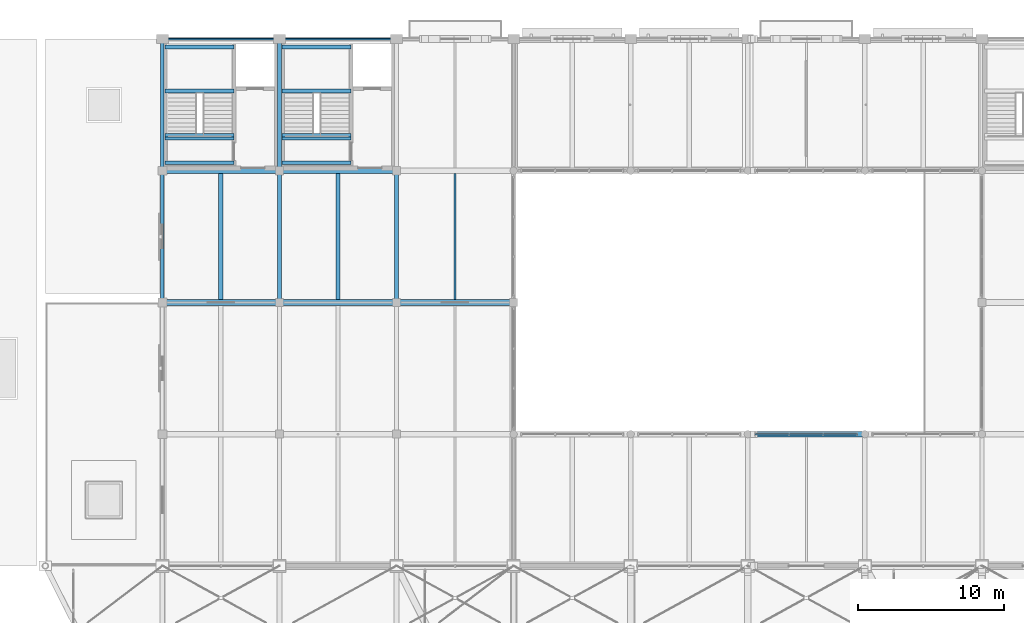
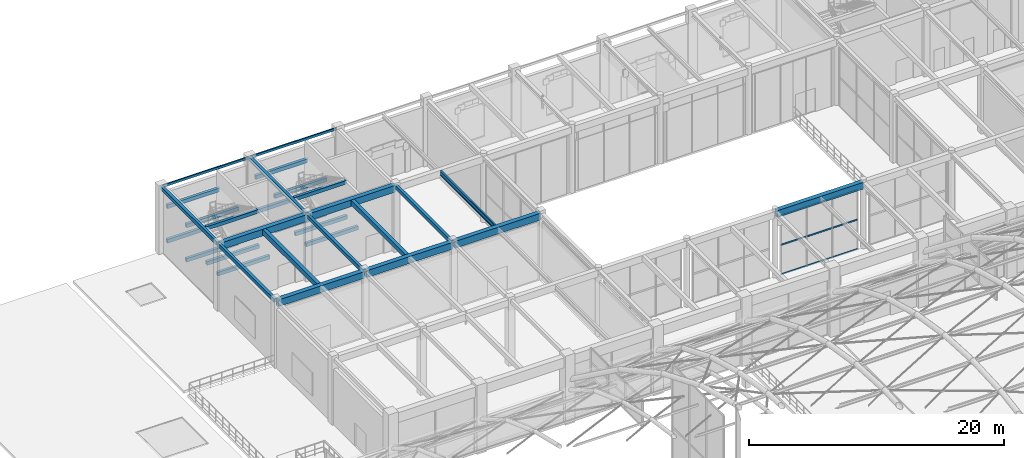
# One storey, part 70 of 163: 30 beams, 3 members, 1 element without a shape of its own.
"""IFC4 building model written with IfcOpenShell, lengths in metres."""

from ifc_helpers import new_model, si_unit, direction, frame, origin, origin_2d, place, context, subcontext, project, spatial, rectangle, hollow_rectangle, i_section, extrude, material, material_profile, profile_set, type_object, element, aggregate, save


model = new_model("IFC4")

# Units and contexts
model_context = context("Model", 3, precision=1e-05, world=origin(), true_north=direction((0.0, 1.0)))
body_context = subcontext(model_context, "Body", "Model", "MODEL_VIEW")
ifc_project = project(units=[si_unit("LENGTHUNIT", "METRE"), si_unit("AREAUNIT", "SQUARE_METRE"), si_unit("VOLUMEUNIT", "CUBIC_METRE"), si_unit("PLANEANGLEUNIT", "RADIAN"), si_unit("MASSUNIT", "GRAM", prefix="KILO")], contexts=[model_context])

# Site, building, storey
site_placement = place(None, origin())
site = spatial("IfcSite", under=ifc_project, at=site_placement, CompositionType="ELEMENT")
building_placement = place(site_placement, origin())
building = spatial("IfcBuilding", under=site, at=building_placement, Name="Varnabhumi Central Station", CompositionType="ELEMENT")
storey_placement = place(building_placement, frame((0.0, 0.0, 9.60009765625)))
storey = spatial("IfcBuildingStorey", under=building, at=storey_placement, Name="L02", CompositionType="ELEMENT", Elevation=9.60009765625)

# Beams
ifc_material_1 = material(Name="Structural steel E350", Category="steel")
ifc_material_profile_1 = material_profile(ifc_material_1, i_section(OverallWidth=0.14990234375, OverallDepth=0.449951171875, WebThickness=0.009521484375, FlangeThickness=0.017333984375, FilletRadius=0.014892578125, at=origin_2d()), Name="Structural steel E350", Category="steel")
ifc_profile_set_1 = profile_set([ifc_material_profile_1], Name="Structural steel E350")
beam_type_1 = type_object("IfcBeamType", Name="BM-JST-ISMB450", PredefinedType="JOIST", material=ifc_profile_set_1)
beam_1_placement = place(storey_placement, frame((44.0, 98.199951171875, 6.125), z_axis=(0.0, 1.0, 0.0), x_axis=(-1.0, 0.0, 0.0)))
element("IfcBeam", 1, at=beam_1_placement, inside=storey, type_object=beam_type_1, Name="Secondary Joist L02-6/7:M-N", PredefinedType="JOIST", context=body_context, shape_type="SweptSolid", body=[
    extrude(i_section(OverallWidth=0.14990234375, OverallDepth=0.449951171875, WebThickness=0.009521484375, FlangeThickness=0.017333984375, FilletRadius=0.014892578125, at=origin_2d()), origin(), (0.0, 0.0, 1.0), 8.60009765625),
])
ifc_material_2 = material(Name="Concrete M35", Category="concrete")
ifc_material_profile_2 = material_profile(ifc_material_2, rectangle(XDim=0.25, YDim=0.35009765625, at=origin_2d()), Name="Concrete M35", Category="concrete")
ifc_profile_set_2 = profile_set([ifc_material_profile_2], Name="Concrete M35")
beam_type_2 = type_object("IfcBeamType", Name="BM-RC-250x350", PredefinedType="LINTEL", material=ifc_profile_set_2)
for number, where, z_axis, x_axis, name in (
    (2, (24.0, 98.10009765625, 6.1748046875), (0.0, 1.0, 0.0), (-1.0, 0.0, 0.0), "Beam L02-4:M-N"),
    (3, (32.0, 98.10009765625, 6.1748046875), (0.0, 1.0, 0.0), (-1.0, 0.0, 0.0), "Beam L02-5:M-N"),
    (4, (40.0, 98.10009765625, 6.1748046875), (0.0, 1.0, 0.0), (-1.0, 0.0, 0.0), "Beam L02-6:M-N"),
    (5, (24.0, 107.10009765625, 6.1748046875), (0.0, 1.0, 0.0), (-1.0, 0.0, 0.0), "Beam L02-4:N-P"),
    (6, (32.0, 107.10009765625, 6.1748046875), (0.0, 1.0, 0.0), (-1.0, 0.0, 0.0), "Beam L02-5:N-P"),
):
    element("IfcBeam", number, at=place(storey_placement, frame(where, z_axis=z_axis, x_axis=x_axis)), inside=storey, type_object=beam_type_2, Name=name, PredefinedType="LINTEL", context=body_context, shape_type="SweptSolid", body=[
        extrude(rectangle(XDim=0.25, YDim=0.35009765625, at=origin_2d()), origin(), (0.0, 0.0, 1.0), 8.7998046875),
    ])
for number, where, z_axis, x_axis, name in (
    (7, (24.179931640625, 112.449951171875, 1.294921875), (1.0, 0.0, 0.0), (0.0, 1.0, 0.0), "ST-N1 L02 Quarter Landing 1 Support Beam 1"),
    (8, (24.179931640625, 115.4599609375, 1.294921875), (1.0, 0.0, 0.0), (0.0, 1.0, 0.0), "ST-N1 L02 Quarter Landing 1 Support Beam 2"),
    (9, (24.179931640625, 107.5400390625, 2.94482421875), (1.0, 0.0, 0.0), (0.0, 1.0, 0.0), "ST-N1 L02 Mid-Height Landing Support Beam 1"),
    (10, (24.179931640625, 109.239990234375, 2.94482421875), (1.0, 0.0, 0.0), (0.0, 1.0, 0.0), "ST-N1 L02 Mid-Height Landing Support Beam 2"),
    (11, (24.179931640625, 112.449951171875, 4.594970703125), (1.0, 0.0, 0.0), (0.0, 1.0, 0.0), "ST-N1 L02 Quarter Landing 3 Support Beam 1"),
    (12, (24.179931640625, 115.4599609375, 4.594970703125), (1.0, 0.0, 0.0), (0.0, 1.0, 0.0), "ST-N1 L02 Quarter Landing 3 Support Beam 2"),
    (13, (24.179931640625, 109.419921875, 6.1748046875), (1.0, 0.0, 0.0), (0.0, 1.0, 0.0), "ST-N1 L02 Floor Opening Trimmer Beam"),
    (14, (32.179931640625, 112.449951171875, 1.294921875), (1.0, 0.0, 0.0), (0.0, 1.0, 0.0), "ST-N4 L02 Quarter Landing 1 Support Beam 1"),
    (15, (32.179931640625, 115.4599609375, 1.294921875), (1.0, 0.0, 0.0), (0.0, 1.0, 0.0), "ST-N4 L02 Quarter Landing 1 Support Beam 2"),
    (16, (32.179931640625, 107.5400390625, 2.94482421875), (1.0, 0.0, 0.0), (0.0, 1.0, 0.0), "ST-N4 L02 Mid-Height Landing Support Beam 1"),
    (17, (32.179931640625, 109.239990234375, 2.94482421875), (1.0, 0.0, 0.0), (0.0, 1.0, 0.0), "ST-N4 L02 Mid-Height Landing Support Beam 2"),
    (18, (32.179931640625, 112.449951171875, 4.594970703125), (1.0, 0.0, 0.0), (0.0, 1.0, 0.0), "ST-N4 L02 Quarter Landing 3 Support Beam 1"),
    (19, (32.179931640625, 115.4599609375, 4.594970703125), (1.0, 0.0, 0.0), (0.0, 1.0, 0.0), "ST-N4 L02 Quarter Landing 3 Support Beam 2"),
    (20, (32.179931640625, 109.419921875, 6.1748046875), (1.0, 0.0, 0.0), (0.0, 1.0, 0.0), "ST-N4 L02 Floor Opening Trimmer Beam"),
):
    element("IfcBeam", number, at=place(storey_placement, frame(where, z_axis=z_axis, x_axis=x_axis)), inside=storey, type_object=beam_type_2, Name=name, PredefinedType="LINTEL", context=body_context, shape_type="SweptSolid", body=[
        extrude(rectangle(XDim=0.25, YDim=0.35009765625, at=origin_2d()), origin(), (0.0, 0.0, 1.0), 4.719970703125),
    ])
ifc_material_3 = material(Name="Concrete M40", Category="concrete")
ifc_material_profile_3 = material_profile(ifc_material_3, rectangle(XDim=0.300048828125, YDim=0.449951171875, at=origin_2d()), Name="Concrete M40", Category="concrete")
ifc_profile_set_3 = profile_set([ifc_material_profile_3], Name="Concrete M40")
beam_type_3 = type_object("IfcBeamType", Name="BM-RC-300x450", PredefinedType="JOIST", material=ifc_profile_set_3)
beam_2_placement = place(storey_placement, frame((36.0, 98.199951171875, 6.125), z_axis=(0.0, 1.0, 0.0), x_axis=(-1.0, 0.0, 0.0)))
element("IfcBeam", 21, at=beam_2_placement, inside=storey, type_object=beam_type_3, Name="Secondary Joist L02-5/6:M-N", PredefinedType="JOIST", context=body_context, shape_type="SweptSolid", body=[
    extrude(rectangle(XDim=0.300048828125, YDim=0.449951171875, at=origin_2d()), origin(), (0.0, 0.0, 1.0), 8.60009765625),
])
ifc_material_profile_4 = material_profile(ifc_material_3, rectangle(XDim=0.300048828125, YDim=0.5, at=origin_2d()), Name="Concrete M40", Category="concrete")
ifc_profile_set_4 = profile_set([ifc_material_profile_4], Name="Concrete M40")
beam_type_4 = type_object("IfcBeamType", Name="BM-RC-300x500", PredefinedType="JOIST", material=ifc_profile_set_4)
beam_3_placement = place(storey_placement, frame((28.0, 98.199951171875, 6.099853515625), z_axis=(0.0, 1.0, 0.0), x_axis=(-1.0, 0.0, 0.0)))
element("IfcBeam", 22, at=beam_3_placement, inside=storey, type_object=beam_type_4, Name="Secondary Joist L02-4/5:M-N", PredefinedType="JOIST", context=body_context, shape_type="SweptSolid", body=[
    extrude(rectangle(XDim=0.300048828125, YDim=0.5, at=origin_2d()), origin(), (0.0, 0.0, 1.0), 8.60009765625),
])
ifc_material_profile_5 = material_profile(ifc_material_3, rectangle(XDim=0.39990234375, YDim=0.64990234375, at=origin_2d()), Name="Concrete M40", Category="concrete")
ifc_profile_set_5 = profile_set([ifc_material_profile_5], Name="Concrete M40")
beam_type_5 = type_object("IfcBeamType", Name="BM-RC-400x650", PredefinedType="BEAM", material=ifc_profile_set_5)
for number, where, z_axis, x_axis, name in (
    (23, (24.10009765625, 98.0, 6.02490234375), (1.0, 0.0, 0.0), (0.0, 1.0, 0.0), "Beam L02-M:4-5"),
    (24, (24.10009765625, 107.0, 6.02490234375), (1.0, 0.0, 0.0), (0.0, 1.0, 0.0), "Beam L02-N:4-5"),
    (25, (32.10009765625, 98.0, 6.02490234375), (1.0, 0.0, 0.0), (0.0, 1.0, 0.0), "Beam L02-M:5-6"),
    (26, (32.10009765625, 107.0, 6.02490234375), (1.0, 0.0, 0.0), (0.0, 1.0, 0.0), "Beam L02-N:5-6"),
    (27, (40.10009765625, 98.0, 6.02490234375), (1.0, 0.0, 0.0), (0.0, 1.0, 0.0), "Beam L02-M:6-7"),
    (28, (64.10009765625, 89.0, 6.02490234375), (1.0, 0.0, 0.0), (0.0, 1.0, 0.0), "Beam L02-L:9-10"),
):
    element("IfcBeam", number, at=place(storey_placement, frame(where, z_axis=z_axis, x_axis=x_axis)), inside=storey, type_object=beam_type_5, Name=name, PredefinedType="BEAM", context=body_context, shape_type="SweptSolid", body=[
        extrude(rectangle(XDim=0.39990234375, YDim=0.64990234375, at=origin_2d()), origin(), (0.0, 0.0, 1.0), 7.7998046875),
    ])
ifc_material_profile_6 = material_profile(ifc_material_1, hollow_rectangle(XDim=0.1201171875, YDim=0.239990234375, WallThickness=0.008056640625, InnerFilletRadius=0.008056640625, OuterFilletRadius=0.01611328125, at=origin_2d()), Name="Structural steel E350", Category="steel")
ifc_profile_set_6 = profile_set([ifc_material_profile_6], Name="Structural steel E350")
beam_type_6 = type_object("IfcBeamType", Name="BM-STL-RHS240", PredefinedType="SPANDREL", material=ifc_profile_set_6)
for number, where, z_axis, x_axis, name in (
    (29, (24.10009765625, 116.0, 6.22998046875), (1.0, 0.0, 0.0), (0.0, 1.0, 0.0), "Beam L02-P:4-5"),
    (30, (32.10009765625, 116.0, 6.22998046875), (1.0, 0.0, 0.0), (0.0, 1.0, 0.0), "Beam L02-P:5-6"),
):
    element("IfcBeam", number, at=place(storey_placement, frame(where, z_axis=z_axis, x_axis=x_axis)), inside=storey, type_object=beam_type_6, Name=name, PredefinedType="SPANDREL", context=body_context, shape_type="SweptSolid", body=[
        extrude(hollow_rectangle(XDim=0.1201171875, YDim=0.239990234375, WallThickness=0.008056640625, InnerFilletRadius=0.008056640625, OuterFilletRadius=0.01611328125, at=origin_2d()), origin(), (0.0, 0.0, 1.0), 7.7998046875),
    ])

# Curtain wall, members
ifc_material_4 = material(Name="Anodised aluminium 6063-T6", Category="aluminium")
curtain_wall_type = type_object("IfcCurtainWallType", Name="CW-PATIO-LOGGIA-L2", PredefinedType="NOTDEFINED", material=ifc_material_4)
curtain_wall_placement = place(storey_placement, origin())
curtain_wall = element("IfcCurtainWall", 31, at=curtain_wall_placement, inside=storey, type_object=curtain_wall_type, Name="Curtain Wall CW-NP2S3", PredefinedType="NOTDEFINED")
ifc_material_profile_7 = material_profile(ifc_material_4, hollow_rectangle(XDim=0.06005859375, YDim=0.14990234375, WallThickness=0.00390625, InnerFilletRadius=0.001953125, OuterFilletRadius=0.006103515625, at=origin_2d()), Name="Anodised aluminium 6063-T6", Category="aluminium")
ifc_profile_set_7 = profile_set([ifc_material_profile_7], Name="Anodised aluminium 6063-T6")
member_type = type_object("IfcMemberType", Name="CW-TR-150", PredefinedType="USERDEFINED", material=ifc_profile_set_7)
member_1_placement = place(storey_placement, frame((64.52001953125, 89.0, 0.0), z_axis=(1.0, 0.0, 0.0), x_axis=(0.0, 1.0, 0.0)))
member_1 = element("IfcMember", 32, at=member_1_placement, type_object=member_type, Name="Curtain Wall Transom CW-NP2S3-T1", ObjectType="TRANSOM", PredefinedType="USERDEFINED", context=body_context, shape_type="SweptSolid", body=[
    extrude(hollow_rectangle(XDim=0.06005859375, YDim=0.14990234375, WallThickness=0.00390625, InnerFilletRadius=0.001953125, OuterFilletRadius=0.006103515625, at=origin_2d()), origin(), (0.0, 0.0, 1.0), 6.9599609375),
])
member_2_placement = place(storey_placement, frame((64.52001953125, 89.0, 2.81982421875), z_axis=(1.0, 0.0, 0.0), x_axis=(0.0, 1.0, 0.0)))
member_2 = element("IfcMember", 33, at=member_2_placement, type_object=member_type, Name="Curtain Wall Transom CW-NP2S3-T2", ObjectType="TRANSOM", PredefinedType="USERDEFINED", context=body_context, shape_type="SweptSolid", body=[
    extrude(hollow_rectangle(XDim=0.06005859375, YDim=0.14990234375, WallThickness=0.00390625, InnerFilletRadius=0.001953125, OuterFilletRadius=0.006103515625, at=origin_2d()), origin(), (0.0, 0.0, 1.0), 6.9599609375),
])
member_3_placement = place(storey_placement, frame((64.52001953125, 89.0, 5.639892578125), z_axis=(1.0, 0.0, 0.0), x_axis=(0.0, 1.0, 0.0)))
member_3 = element("IfcMember", 34, at=member_3_placement, type_object=member_type, Name="Curtain Wall Transom CW-NP2S3-T3", ObjectType="TRANSOM", PredefinedType="USERDEFINED", context=body_context, shape_type="SweptSolid", body=[
    extrude(hollow_rectangle(XDim=0.06005859375, YDim=0.14990234375, WallThickness=0.00390625, InnerFilletRadius=0.001953125, OuterFilletRadius=0.006103515625, at=origin_2d()), origin(), (0.0, 0.0, 1.0), 6.9599609375),
])
aggregate(curtain_wall, [member_1, member_2, member_3])

save(model, "model.ifc")
